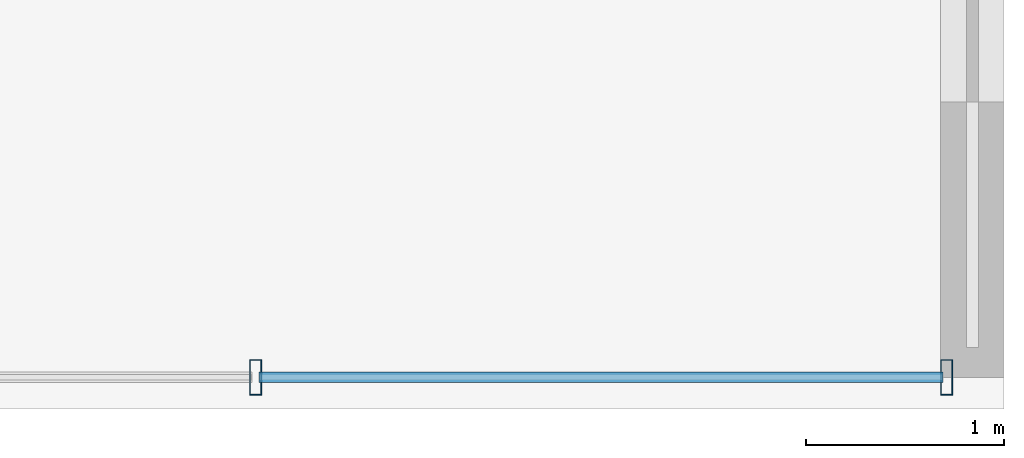
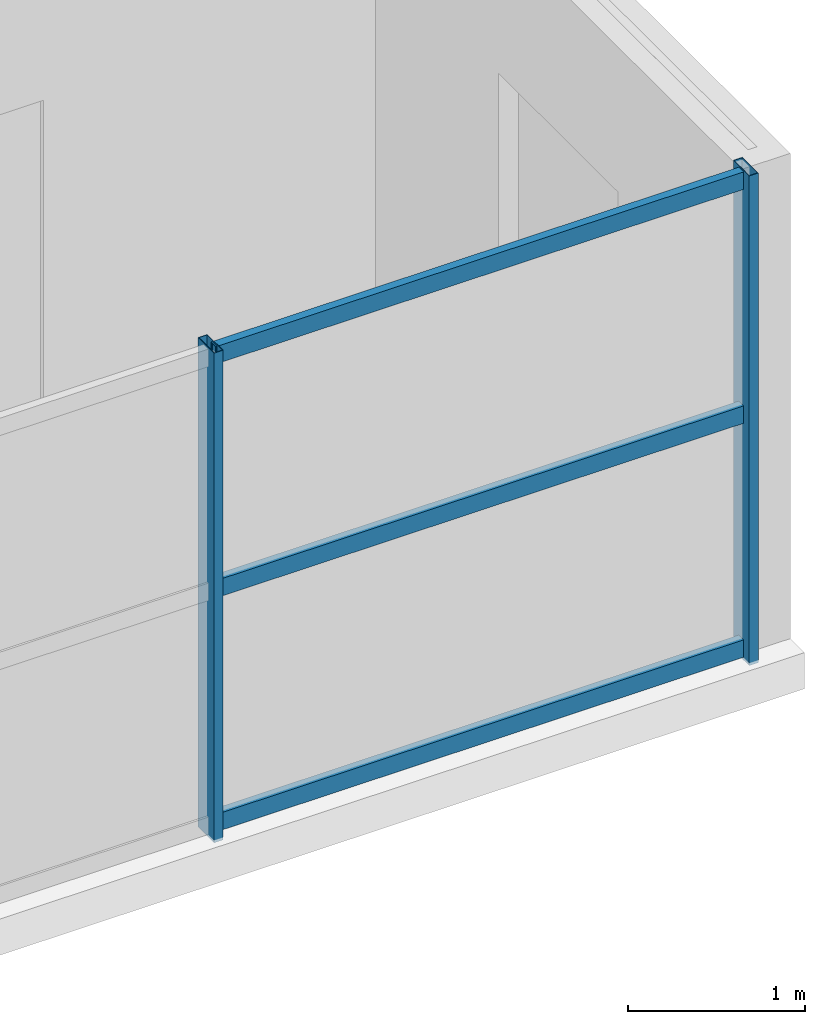
# One storey, part 4 of 14: 5 members, 1 element without a shape of its own.
"""IFC4 building model written with IfcOpenShell, lengths in metres."""

from ifc_helpers import new_model, si_unit, direction, frame, origin, origin_2d, place, context, subcontext, project, spatial, hollow_rectangle, extrude, source, transform, mapped, material, material_profile, profile_set, type_object, element, aggregate, save


model = new_model("IFC4")

# Units and contexts
model_context = context("Model", 3, precision=1e-05, world=origin(), true_north=direction((0.0, 1.0)))
body_context = subcontext(model_context, "Body", "Model", "MODEL_VIEW")
ifc_project = project(units=[si_unit("LENGTHUNIT", "METRE"), si_unit("AREAUNIT", "SQUARE_METRE"), si_unit("VOLUMEUNIT", "CUBIC_METRE"), si_unit("PLANEANGLEUNIT", "RADIAN"), si_unit("MASSUNIT", "GRAM", prefix="KILO")], contexts=[model_context])

# Site, building, storey
site_placement = place(None, origin())
site = spatial("IfcSite", under=ifc_project, at=site_placement, CompositionType="ELEMENT")
building_placement = place(site_placement, origin())
building = spatial("IfcBuilding", under=site, at=building_placement, Name="Tlacorven Tower", CompositionType="ELEMENT")
storey_placement = place(building_placement, frame((0.0, 0.0, 284.39990234375)))
storey = spatial("IfcBuildingStorey", under=building, at=storey_placement, Name="L72", CompositionType="ELEMENT", Elevation=284.39990234375)

# Curtain wall, members
ifc_material_1 = material(Name="Dark solar low-E double glazing in aluminium frame", Category="aluminium")
curtain_wall_type = type_object("IfcCurtainWallType", Name="CW-TWR-HIGH", PredefinedType="USERDEFINED", material=ifc_material_1)
curtain_wall_placement = place(storey_placement, origin())
curtain_wall = element("IfcCurtainWall", 1, at=curtain_wall_placement, inside=storey, type_object=curtain_wall_type, Name="L72 CW-TWR-HIGH Curtain Wall 334", ObjectType="UNITISED CURTAIN WALL", PredefinedType="USERDEFINED")
ifc_material_2 = material(Name="Aluminium 6063-T6 anodised", Category="aluminium")
ifc_material_profile_1 = material_profile(ifc_material_2, hollow_rectangle(XDim=0.06005859375, YDim=0.179931640625, WallThickness=0.00390625, at=origin_2d()), Name="ALU MULLION 60X180")
ifc_profile_set_1 = profile_set([ifc_material_profile_1], Name="Aluminium 6063-T6 anodised")
member_type_1 = type_object("IfcMemberType", Name="CWM-03", PredefinedType="MULLION", material=ifc_profile_set_1)
shared_shape_1 = source(origin(), body_context, "Body", "SweptSolid", [
    extrude(hollow_rectangle(XDim=0.06005859375, YDim=0.179931640625, WallThickness=0.00390625, at=origin_2d()), origin(), (0.0, 0.0, 1.0), 3.380126953125),
])
member_1_placement = place(storey_placement, frame((43.909912109375, 1.9599609375, -0.02001953125), z_axis=(0.0, 0.0, 1.0), x_axis=(-1.0, 0.0, 0.0)))
member_1 = element("IfcMember", 2, at=member_1_placement, type_object=member_type_1, Name="CW-L72-334 Mullion 1", PredefinedType="MULLION", context=body_context, shape_type="MappedRepresentation", body=[
    mapped(shared_shape_1, transform((0.0, 0.0, 0.0), scale=1.0)),
])
member_2_placement = place(storey_placement, frame((40.41552734375, 1.9599609375, -0.02001953125), z_axis=(0.0, 0.0, 1.0), x_axis=(-1.0, 0.0, 0.0)))
member_2 = element("IfcMember", 3, at=member_2_placement, type_object=member_type_1, Name="CW-L72-334 Mullion 2", PredefinedType="MULLION", context=body_context, shape_type="MappedRepresentation", body=[
    mapped(shared_shape_1, transform((0.0, 0.0, 0.0), scale=1.0)),
])
ifc_material_profile_2 = material_profile(ifc_material_2, hollow_rectangle(XDim=0.054931640625, YDim=0.1201171875, WallThickness=0.00341796875, at=origin_2d()), Name="ALU TRANSOM 55X120")
ifc_profile_set_2 = profile_set([ifc_material_profile_2], Name="Aluminium 6063-T6 anodised")
member_type_2 = type_object("IfcMemberType", Name="CWT-03", PredefinedType="USERDEFINED", material=ifc_profile_set_2)
shared_shape_2 = source(origin(), body_context, "Body", "SweptSolid", [
    extrude(hollow_rectangle(XDim=0.054931640625, YDim=0.1201171875, WallThickness=0.00341796875, at=origin_2d()), origin(), (0.0, 0.0, 1.0), 3.458740234375),
])
member_3_placement = place(storey_placement, frame((43.89208984375, 1.9599609375, 0.06005859375), z_axis=(-1.0, 0.0, 0.0), x_axis=(0.0, -1.0, 0.0)))
member_3 = element("IfcMember", 4, at=member_3_placement, type_object=member_type_2, Name="CW-L72-334 Transom 1", ObjectType="TRANSOM", PredefinedType="USERDEFINED", context=body_context, shape_type="MappedRepresentation", body=[
    mapped(shared_shape_2, transform((0.0, 0.0, 0.0), scale=1.0)),
])
member_4_placement = place(storey_placement, frame((43.89208984375, 1.9599609375, 1.675048828125), z_axis=(-1.0, 0.0, 0.0), x_axis=(0.0, -1.0, 0.0)))
member_4 = element("IfcMember", 5, at=member_4_placement, type_object=member_type_2, Name="CW-L72-334 Transom 2", ObjectType="TRANSOM", PredefinedType="USERDEFINED", context=body_context, shape_type="MappedRepresentation", body=[
    mapped(shared_shape_2, transform((0.0, 0.0, 0.0), scale=1.0)),
])
member_5_placement = place(storey_placement, frame((43.89208984375, 1.9599609375, 3.2900390625), z_axis=(-1.0, 0.0, 0.0), x_axis=(0.0, -1.0, 0.0)))
member_5 = element("IfcMember", 6, at=member_5_placement, type_object=member_type_2, Name="CW-L72-334 Transom 3", ObjectType="TRANSOM", PredefinedType="USERDEFINED", context=body_context, shape_type="MappedRepresentation", body=[
    mapped(shared_shape_2, transform((0.0, 0.0, 0.0), scale=1.0)),
])
aggregate(curtain_wall, [member_1, member_2, member_3, member_4, member_5])

save(model, "model.ifc")
